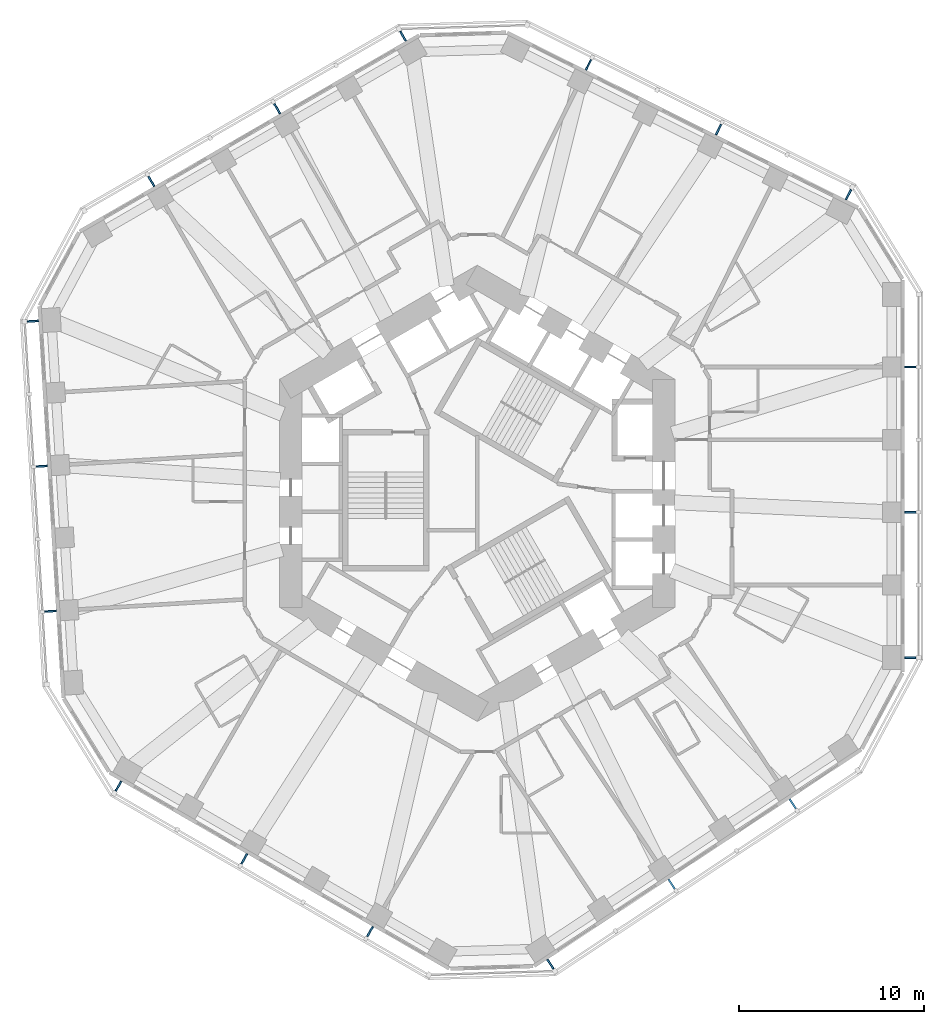
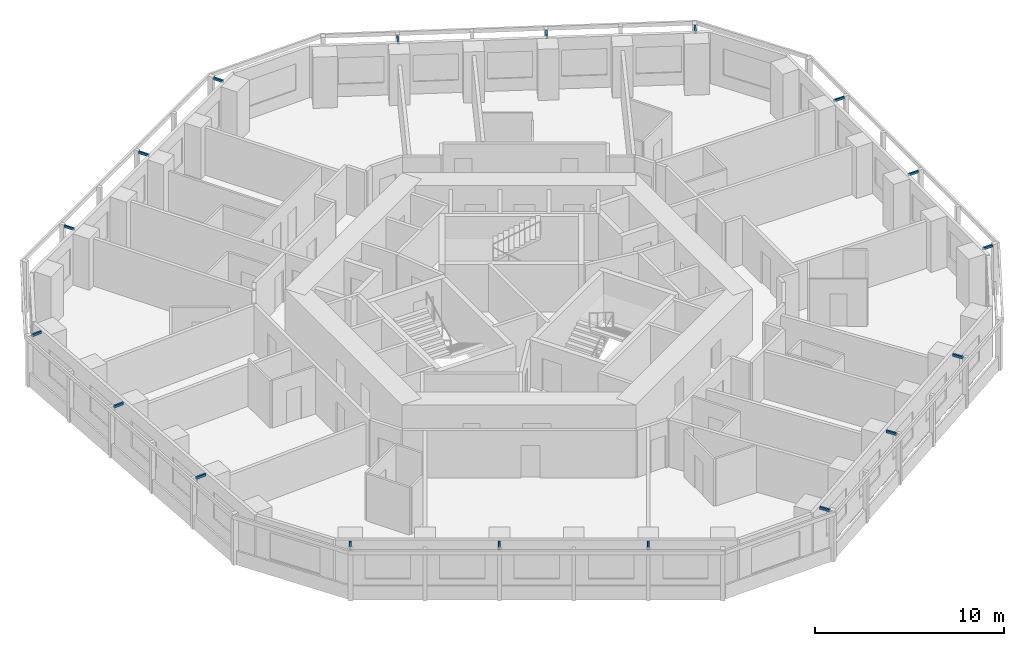
# One storey, part 11 of 12: 18 discrete accessories.
"""IFC4 building model written with IfcOpenShell, lengths in metres."""

import ifcopenshell
import ifcopenshell.guid

model = None  # the IFC model being written
_history = None  # IfcOwnerHistory: only IFC2X3 demands one
_inside = {}  # id of a spatial element -> (the spatial element, [elements in it])
_under = {}  # id of a project, library or spatial element -> (it, [spatial elements below it])
_declared = {}  # id of a project -> (the project, [libraries it declares])
_typed = {}  # id of a type object -> (the type object, [elements of that type])
_made_of = {}  # id of a material, layer set ... -> (it, [elements and type objects made of it])


def new_model(schema):
    """Start an empty IFC model of exactly this schema.

    Asked for "IFC4X3", IfcOpenShell would pick the latest addendum, in which some entities
    have other attributes; the version numbers below select the first issue.
    IFC2X3 requires an IfcOwnerHistory on every rooted entity: one is made here for all.
    """
    global model, _history
    if schema == "IFC4X3":
        model = ifcopenshell.file(schema_version=(4, 3, 0, 0))
    else:
        model = ifcopenshell.file(schema=schema)
    _inside.clear()
    _under.clear()
    _declared.clear()
    _typed.clear()
    _made_of.clear()
    _history = None
    if model.schema == "IFC2X3":
        org = make("IfcOrganization", Name="unknown")
        user = make(
            "IfcPersonAndOrganization",
            ThePerson=make("IfcPerson", FamilyName="unknown"),
            TheOrganization=org,
        )
        app = make(
            "IfcApplication",
            ApplicationDeveloper=org,
            Version="unknown",
            ApplicationFullName="unknown",
            ApplicationIdentifier="unknown",
        )
        _history = make(
            "IfcOwnerHistory",
            OwningUser=user,
            OwningApplication=app,
            ChangeAction="ADDED",
            CreationDate=0,
        )
    return model


def make(cls, **values):
    """One entity of the class cls with the attributes given. An attribute that is None is left unset."""
    return model.create_entity(
        cls, **{name: value for name, value in values.items() if value is not None}
    )


def rooted(cls, **values):
    """An entity with a GlobalId (a new one), such as an element, a storey or a relation."""
    return make(cls, GlobalId=ifcopenshell.guid.new(), OwnerHistory=_history, **values)


def si_unit(unit_type, name, prefix=None):
    """IfcSIUnit, for example si_unit("LENGTHUNIT", "METRE", prefix="MILLI")."""
    return make("IfcSIUnit", UnitType=unit_type, Prefix=prefix, Name=name)


def assignment(units):
    """IfcUnitAssignment: the units of a project."""
    return None if units is None else make("IfcUnitAssignment", Units=units)


def point(xyz):
    """IfcCartesianPoint."""
    return None if xyz is None else make("IfcCartesianPoint", Coordinates=xyz)


def direction(xyz):
    """IfcDirection."""
    return None if xyz is None else make("IfcDirection", DirectionRatios=xyz)


def frame(location, z_axis=None, x_axis=None):
    """IfcAxis2Placement3D, a coordinate frame: its origin and axes. An axis left out is left unset."""
    return make(
        "IfcAxis2Placement3D",
        Location=point(location),
        Axis=direction(z_axis),
        RefDirection=direction(x_axis),
    )


def frame_2d(location, x_axis=None):
    """IfcAxis2Placement2D, a coordinate frame in the plane: its origin and x axis."""
    return make(
        "IfcAxis2Placement2D", Location=point(location), RefDirection=direction(x_axis)
    )


def origin():
    """The frame at (0, 0, 0) with its axes left unset."""
    return frame((0.0, 0.0, 0.0))


def origin_2d():
    """The frame at (0, 0) in the plane with its x axis left unset."""
    return frame_2d((0.0, 0.0))


def place(relative_to, where):
    """IfcLocalPlacement: puts the frame where relative to a parent placement (None: the world)."""
    return make(
        "IfcLocalPlacement", PlacementRelTo=relative_to, RelativePlacement=where
    )


def context(
    kind, dimensions, precision=None, world=None, true_north=None, identifier=None
):
    """IfcGeometricRepresentationContext, for example the 3D "Model" context."""
    return make(
        "IfcGeometricRepresentationContext",
        ContextIdentifier=identifier,
        ContextType=kind,
        CoordinateSpaceDimension=dimensions,
        Precision=precision,
        WorldCoordinateSystem=world,
        TrueNorth=true_north,
    )


def subcontext(parent, identifier, kind, view, scale=None):
    """IfcGeometricRepresentationSubContext, for example "Body" below "Model"."""
    return make(
        "IfcGeometricRepresentationSubContext",
        ContextIdentifier=identifier,
        ContextType=kind,
        ParentContext=parent,
        TargetScale=scale,
        TargetView=view,
    )


def project(units=None, contexts=None):
    """IfcProject with its units and contexts."""
    return rooted(
        "IfcProject",
        Name="project",
        RepresentationContexts=contexts,
        UnitsInContext=assignment(units),
    )


def spatial(cls, under=None, at=None, **own):
    """A site, building, storey or space (cls), placed at a placement, below another one or the project."""
    s = rooted(cls, ObjectPlacement=at, **own)
    if under is not None:
        _under.setdefault(under.id(), (under, []))[1].append(s)
    return s


def profile(cls, at=None, kind="AREA", **sizes):
    """A parametric profile (cls). Its sizes go by their IFC names, for example OverallWidth=200.0."""
    return make(cls, ProfileType=kind, Position=at, **sizes)


def rectangle(**sizes):
    """IfcRectangleProfileDef."""
    return profile("IfcRectangleProfileDef", **sizes)


def extrude(swept, where, along, depth):
    """IfcExtrudedAreaSolid: the profile swept, set in the frame where, extruded along a direction by depth."""
    return make(
        "IfcExtrudedAreaSolid",
        SweptArea=swept,
        Position=where,
        ExtrudedDirection=direction(along),
        Depth=depth,
    )


def shape(context_of_items, identifier, shape_type, items):
    """IfcShapeRepresentation: the items that make up one representation, for example the "Body"."""
    return make(
        "IfcShapeRepresentation",
        ContextOfItems=context_of_items,
        RepresentationIdentifier=identifier,
        RepresentationType=shape_type,
        Items=items,
    )


def material(Name=None, Category=None):
    """IfcMaterial."""
    return make("IfcMaterial", Name=Name, Category=Category)


def made_of(thing, what):
    """Note that an element or type object is made of a material, layer set ...; save() writes the relation."""
    if what is not None:
        _made_of.setdefault(what.id(), (what, []))[1].append(thing)
    return thing


def type_object(cls, material=None, **own):
    """A type object (cls), such as IfcWallType, which elements share."""
    return made_of(rooted(cls, **own), material)


def element(
    cls,
    number,
    at=None,
    inside=None,
    cuts=None,
    type_object=None,
    material=None,
    context=None,
    identifier="Body",
    shape_type=None,
    held_by="IfcProductDefinitionShape",
    body=None,
    shapes=None,
    **own,
):
    """One element of the class cls, such as IfcWall. Its Tag is "e" and its number.

    at: its placement. inside: the storey or other place that contains it. cuts: it is an
    opening in that element (IfcRelVoidsElement). A single representation is given by context,
    identifier, shape_type and body (its items); several are given by shapes. held_by: the class
    of the entity that holds the representations. save() writes the other relations.
    """
    e = rooted(cls, Tag="e%d" % number, ObjectPlacement=at, **own)
    if body is not None:
        shapes = [shape(context, identifier, shape_type, body)]
    if shapes is not None:
        e.Representation = make(held_by, Representations=shapes)
    if inside is not None:
        _inside.setdefault(inside.id(), (inside, []))[1].append(e)
    if cuts is not None:
        rooted(
            "IfcRelVoidsElement", RelatingBuildingElement=cuts, RelatedOpeningElement=e
        )
    if type_object is not None:
        _typed.setdefault(type_object.id(), (type_object, []))[1].append(e)
    return made_of(e, material)


def aggregate(whole, parts):
    """IfcRelAggregates: a whole, such as a stair, and the parts it consists of."""
    return rooted("IfcRelAggregates", RelatingObject=whole, RelatedObjects=parts)


def save(model, path):
    """Write the relations noted so far, then the file.

    IfcRelAggregates (storeys below a building ...), IfcRelContainedInSpatialStructure (elements
    in a storey), IfcRelDefinesByType, IfcRelAssociatesMaterial and IfcRelDeclares: one each for
    every whole, place, type object, material and project.
    """
    for whole, parts in _under.values():
        aggregate(whole, parts)
    for where, things in _inside.values():
        rooted(
            "IfcRelContainedInSpatialStructure",
            RelatedElements=things,
            RelatingStructure=where,
        )
    for kind, things in _typed.values():
        rooted("IfcRelDefinesByType", RelatedObjects=things, RelatingType=kind)
    for what, things in _made_of.values():
        rooted("IfcRelAssociatesMaterial", RelatedObjects=things, RelatingMaterial=what)
    for by, libraries in _declared.values():
        rooted("IfcRelDeclares", RelatingContext=by, RelatedDefinitions=libraries)
    model.write(path)


model = new_model("IFC4")

# Units and contexts
model_context = context("Model", 3, precision=1e-05, world=origin(), true_north=direction((0.0, 1.0)))
body_context = subcontext(model_context, "Body", "Model", "MODEL_VIEW")
ifc_project = project(units=[si_unit("LENGTHUNIT", "METRE"), si_unit("AREAUNIT", "SQUARE_METRE"), si_unit("VOLUMEUNIT", "CUBIC_METRE"), si_unit("PLANEANGLEUNIT", "RADIAN"), si_unit("MASSUNIT", "GRAM", prefix="KILO")], contexts=[model_context])

# Site, building, storey
site_placement = place(None, origin())
site = spatial("IfcSite", under=ifc_project, at=site_placement, CompositionType="ELEMENT")
building_placement = place(site_placement, origin())
building = spatial("IfcBuilding", under=site, at=building_placement, Name="Vanh Sen Convention Tower", CompositionType="ELEMENT")
storey_placement = place(building_placement, frame((0.0, 0.0, 113.300048828125)))
storey = spatial("IfcBuildingStorey", under=building, at=storey_placement, Name="L27", CompositionType="ELEMENT", Elevation=113.300048828125)

# Discrete accessories
ifc_material = material(Name="Steel S355", Category="steel")
discrete_accessory_type = type_object("IfcDiscreteAccessoryType", Name="Fin bracket 100 x 150", PredefinedType="BRACKET", material=ifc_material)
discrete_accessory_1_placement = place(storey_placement, frame((23.449951171875, -8.899169921875, 3.10009765625), z_axis=(0.0, 0.0, 1.0), x_axis=(1.0, 0.0, 0.0)))
element("IfcDiscreteAccessory", 1, at=discrete_accessory_1_placement, inside=storey, type_object=discrete_accessory_type, Name="Fin bracket E-1 L27", PredefinedType="BRACKET", context=body_context, shape_type="SweptSolid", body=[
    extrude(rectangle(XDim=0.60009765625, YDim=0.10009765625, at=origin_2d()), origin(), (0.0, 0.0, 1.0), 0.14990234375),
])
for number, where, z_axis, x_axis, name in (
    (2, (23.46240234375, -1.030029296875, 3.10009765625), (0.0, 0.0, 1.0), (1.0, 0.0, 0.0), "Fin bracket E-3 L27"),
    (3, (23.46240234375, 6.839111328125, 3.10009765625), (0.0, 0.0, 1.0), (1.0, 0.0, 0.0), "Fin bracket E-5 L27"),
):
    element("IfcDiscreteAccessory", number, at=place(storey_placement, frame(where, z_axis=z_axis, x_axis=x_axis)), inside=storey, type_object=discrete_accessory_type, Name=name, PredefinedType="BRACKET", context=body_context, shape_type="SweptSolid", body=[
        extrude(rectangle(XDim=0.625, YDim=0.10009765625, at=origin_2d()), origin(), (0.0, 0.0, 1.0), 0.14990234375),
    ])
discrete_accessory_2_placement = place(storey_placement, frame((20.10498046875, 16.178955078125, 3.10009765625), z_axis=(0.0, 0.0, 1.0), x_axis=(0.44619781311, 0.894934361602, 0.0)))
element("IfcDiscreteAccessory", 4, at=discrete_accessory_2_placement, inside=storey, type_object=discrete_accessory_type, Name="Fin bracket NE-1 L27", PredefinedType="BRACKET", context=body_context, shape_type="SweptSolid", body=[
    extrude(rectangle(XDim=0.60009765625, YDim=0.10009765625, at=origin_2d()), origin(), (0.0, 0.0, 1.0), 0.14990234375),
])
for number, where, z_axis, x_axis, name in (
    (5, (13.068359375, 19.701416015625, 3.10009765625), (0.0, 0.0, 1.0), (0.44619781311, 0.894934361602, 0.0), "Fin bracket NE-3 L27"),
    (6, (6.02587890625, 23.212646484375, 3.10009765625), (0.0, 0.0, 1.0), (0.44619781311, 0.894934361602, 0.0), "Fin bracket NE-5 L27"),
):
    element("IfcDiscreteAccessory", number, at=place(storey_placement, frame(where, z_axis=z_axis, x_axis=x_axis)), inside=storey, type_object=discrete_accessory_type, Name=name, PredefinedType="BRACKET", context=body_context, shape_type="SweptSolid", body=[
        extrude(rectangle(XDim=0.625, YDim=0.10009765625, at=origin_2d()), origin(), (0.0, 0.0, 1.0), 0.14990234375),
    ])
discrete_accessory_3_placement = place(storey_placement, frame((-4.01806640625, 24.7578125, 3.10009765625), z_axis=(0.0, 0.0, 1.0), x_axis=(-0.5, 0.866025403784, 0.0)))
element("IfcDiscreteAccessory", 7, at=discrete_accessory_3_placement, inside=storey, type_object=discrete_accessory_type, Name="Fin bracket NW-1 L27", PredefinedType="BRACKET", context=body_context, shape_type="SweptSolid", body=[
    extrude(rectangle(XDim=0.60009765625, YDim=0.10009765625, at=origin_2d()), origin(), (0.0, 0.0, 1.0), 0.14990234375),
])
for number, where, z_axis, x_axis, name in (
    (8, (-10.839111328125, 20.834228515625, 3.10009765625), (0.0, 0.0, 1.0), (-0.5, 0.866025403784, 0.0), "Fin bracket NW-3 L27"),
    (9, (-17.654296875, 16.899658203125, 3.10009765625), (0.0, 0.0, 1.0), (-0.5, 0.866025403784, 0.0), "Fin bracket NW-5 L27"),
):
    element("IfcDiscreteAccessory", number, at=place(storey_placement, frame(where, z_axis=z_axis, x_axis=x_axis)), inside=storey, type_object=discrete_accessory_type, Name=name, PredefinedType="BRACKET", context=body_context, shape_type="SweptSolid", body=[
        extrude(rectangle(XDim=0.625, YDim=0.10009765625, at=origin_2d()), origin(), (0.0, 0.0, 1.0), 0.14990234375),
    ])
discrete_accessory_4_placement = place(storey_placement, frame((-24.06396484375, 9.322021484375, 3.10009765625), z_axis=(0.0, 0.0, 1.0), x_axis=(-0.998134798422, -0.061048539535, 0.0)))
element("IfcDiscreteAccessory", 10, at=discrete_accessory_4_placement, inside=storey, type_object=discrete_accessory_type, Name="Fin bracket W-1 L27", PredefinedType="BRACKET", context=body_context, shape_type="SweptSolid", body=[
    extrude(rectangle(XDim=0.60009765625, YDim=0.10009765625, at=origin_2d()), origin(), (0.0, 0.0, 1.0), 0.14990234375),
])
for number, where, z_axis, x_axis, name in (
    (11, (-23.595947265625, 1.466796875, 3.10009765625), (0.0, 0.0, 1.0), (-0.998134798422, -0.061048539535, 0.0), "Fin bracket W-3 L27"),
    (12, (-23.115478515625, -6.3876953125, 3.10009765625), (0.0, 0.0, 1.0), (-0.998134798422, -0.061048539535, 0.0), "Fin bracket W-5 L27"),
):
    element("IfcDiscreteAccessory", number, at=place(storey_placement, frame(where, z_axis=z_axis, x_axis=x_axis)), inside=storey, type_object=discrete_accessory_type, Name=name, PredefinedType="BRACKET", context=body_context, shape_type="SweptSolid", body=[
        extrude(rectangle(XDim=0.625, YDim=0.10009765625, at=origin_2d()), origin(), (0.0, 0.0, 1.0), 0.14990234375),
    ])
discrete_accessory_5_placement = place(storey_placement, frame((-19.431884765625, -15.858642578125, 3.10009765625), z_axis=(0.0, 0.0, 1.0), x_axis=(-0.5, -0.866025403784, 0.0)))
element("IfcDiscreteAccessory", 13, at=discrete_accessory_5_placement, inside=storey, type_object=discrete_accessory_type, Name="Fin bracket SW-1 L27", PredefinedType="BRACKET", context=body_context, shape_type="SweptSolid", body=[
    extrude(rectangle(XDim=0.60009765625, YDim=0.10009765625, at=origin_2d()), origin(), (0.0, 0.0, 1.0), 0.14990234375),
])
for number, where, z_axis, x_axis, name in (
    (14, (-12.623291015625, -19.80419921875, 3.10009765625), (0.0, 0.0, 1.0), (-0.5, -0.866025403784, 0.0), "Fin bracket SW-3 L27"),
    (15, (-5.808349609375, -23.73876953125, 3.10009765625), (0.0, 0.0, 1.0), (-0.5, -0.866025403784, 0.0), "Fin bracket SW-5 L27"),
):
    element("IfcDiscreteAccessory", number, at=place(storey_placement, frame(where, z_axis=z_axis, x_axis=x_axis)), inside=storey, type_object=discrete_accessory_type, Name=name, PredefinedType="BRACKET", context=body_context, shape_type="SweptSolid", body=[
        extrude(rectangle(XDim=0.625, YDim=0.10009765625, at=origin_2d()), origin(), (0.0, 0.0, 1.0), 0.14990234375),
    ])
discrete_accessory_6_placement = place(storey_placement, frame((3.958740234375, -25.5009765625, 3.10009765625), z_axis=(0.0, 0.0, 1.0), x_axis=(0.551936985312, -0.833885822067, 0.0)))
element("IfcDiscreteAccessory", 16, at=discrete_accessory_6_placement, inside=storey, type_object=discrete_accessory_type, Name="Fin bracket SE-1 L27", PredefinedType="BRACKET", context=body_context, shape_type="SweptSolid", body=[
    extrude(rectangle(XDim=0.60009765625, YDim=0.10009765625, at=origin_2d()), origin(), (0.0, 0.0, 1.0), 0.14990234375),
])
for number, where, z_axis, x_axis, name in (
    (17, (10.527587890625, -21.168212890625, 3.10009765625), (0.0, 0.0, 1.0), (0.551936985312, -0.833885822067, 0.0), "Fin bracket SE-3 L27"),
    (18, (17.089599609375, -16.824951171875, 3.10009765625), (0.0, 0.0, 1.0), (0.551936985312, -0.833885822067, 0.0), "Fin bracket SE-5 L27"),
):
    element("IfcDiscreteAccessory", number, at=place(storey_placement, frame(where, z_axis=z_axis, x_axis=x_axis)), inside=storey, type_object=discrete_accessory_type, Name=name, PredefinedType="BRACKET", context=body_context, shape_type="SweptSolid", body=[
        extrude(rectangle(XDim=0.625, YDim=0.10009765625, at=origin_2d()), origin(), (0.0, 0.0, 1.0), 0.14990234375),
    ])

save(model, "model.ifc")
